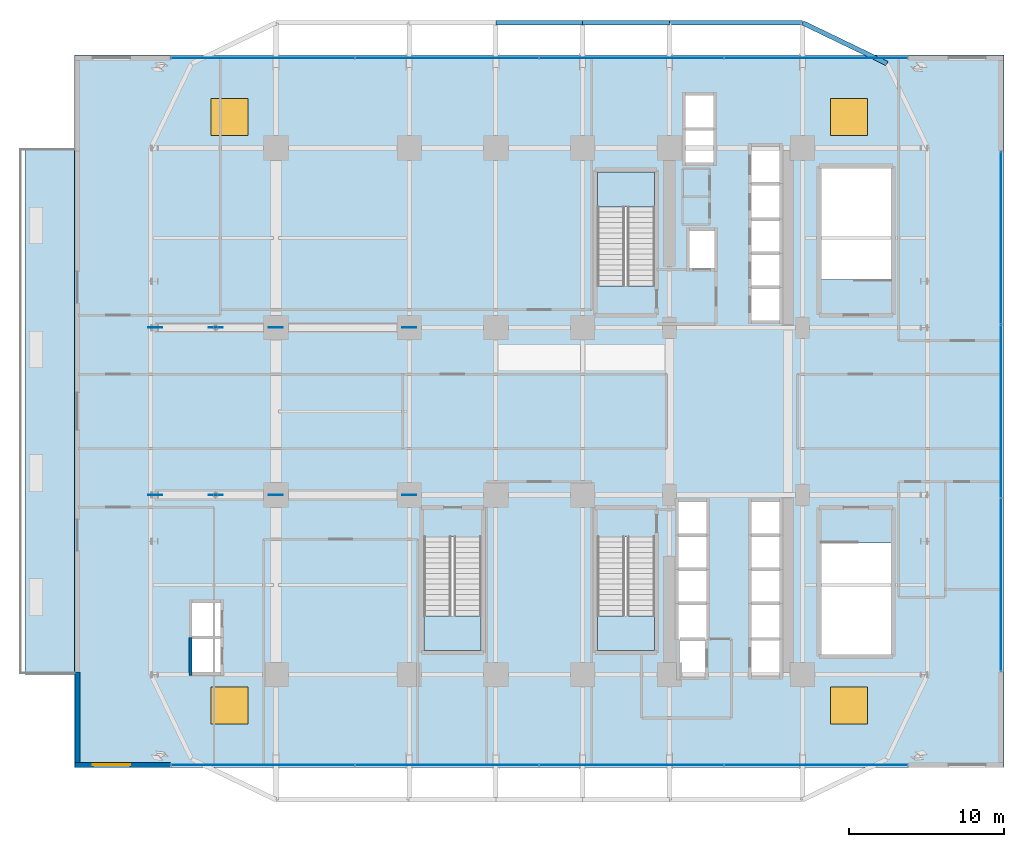
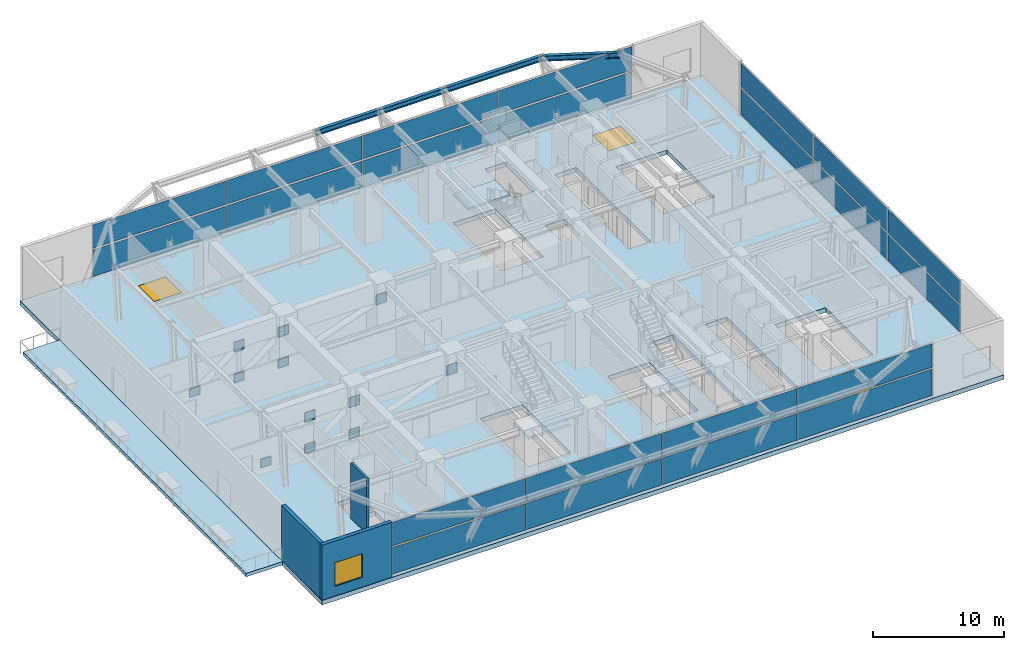
# One storey, part 19 of 29: 34 plates, 5 slabs, 5 windows, 4 beams, 3 walls, 5 openings, 6 elements without a shape of their own.
"""IFC4 building model written with IfcOpenShell, lengths in metres."""

from ifc_helpers import new_model, si_unit, direction, frame, frame_2d, origin, origin_2d, place, context, subcontext, project, spatial, polyline, rectangle, i_section, outline, extrude, source, transform, mapped, material, layer, layer_set, material_profile, profile_set, type_object, element, fill, aggregate, save


model = new_model("IFC4")

# Units and contexts
model_context = context("Model", 3, precision=1e-05, world=origin(), true_north=direction((0.0, 1.0)))
body_context = subcontext(model_context, "Body", "Model", "MODEL_VIEW")
ifc_project = project(units=[si_unit("LENGTHUNIT", "METRE"), si_unit("AREAUNIT", "SQUARE_METRE"), si_unit("VOLUMEUNIT", "CUBIC_METRE"), si_unit("PLANEANGLEUNIT", "RADIAN"), si_unit("MASSUNIT", "GRAM", prefix="KILO")], contexts=[model_context])

# Site, building, storey
site_placement = place(None, origin())
site = spatial("IfcSite", under=ifc_project, at=site_placement, CompositionType="ELEMENT")
building_placement = place(site_placement, origin())
building = spatial("IfcBuilding", under=site, at=building_placement, Name="Nahalor Promenade Grand Hotel", CompositionType="ELEMENT")
storey_placement = place(building_placement, frame((0.0, 0.0, 27.0)))
storey = spatial("IfcBuildingStorey", under=building, at=storey_placement, Name="L05", CompositionType="ELEMENT", Elevation=27.0)

# Beams
ifc_material_1 = material(Name="Steel S355JR", Category="steel")
ifc_material_profile = material_profile(ifc_material_1, i_section(OverallWidth=0.3, OverallDepth=0.5, WebThickness=0.0145, FlangeThickness=0.028, at=origin_2d()), Name="HEB 500")
ifc_profile_set = profile_set([ifc_material_profile], Name="Steel S355JR")
beam_type = type_object("IfcBeamType", Name="Beam-Spandrel-HEB500", PredefinedType="SPANDREL", material=ifc_profile_set)
shared_shape_1 = source(origin(), body_context, "Body", "SweptSolid", [
    extrude(i_section(OverallWidth=0.3, OverallDepth=0.5, WebThickness=0.0145, FlangeThickness=0.028, at=origin_2d()), origin(), (0.0, 0.0, 1.0), 8.60009765625),
])
beam_1_placement = place(storey_placement, frame((8.39990234375, 25.080078125, 4.8701171875), z_axis=(1.0, 0.0, 0.0), x_axis=(0.0, 1.0, 0.0)))
element("IfcBeam", 1, at=beam_1_placement, inside=storey, type_object=beam_type, Name="BM-L05-SP-N-4", PredefinedType="SPANDREL", context=body_context, shape_type="MappedRepresentation", body=[
    mapped(shared_shape_1, transform((0.0, 0.0, 0.0), scale=1.0)),
])
shared_shape_2 = source(origin(), body_context, "Body", "SweptSolid", [
    extrude(i_section(OverallWidth=0.3, OverallDepth=0.5, WebThickness=0.0145, FlangeThickness=0.028, at=origin_2d()), origin(), (0.0, 0.0, 1.0), 5.599853515625),
])
beam_2_placement = place(storey_placement, frame((2.800048828125, 25.080078125, 4.8701171875), z_axis=(1.0, 0.0, 0.0), x_axis=(0.0, 1.0, 0.0)))
element("IfcBeam", 2, at=beam_2_placement, inside=storey, type_object=beam_type, Name="BM-L05-SP-N-3", PredefinedType="SPANDREL", context=body_context, shape_type="MappedRepresentation", body=[
    mapped(shared_shape_2, transform((0.0, 0.0, 0.0), scale=1.0)),
])
shared_shape_3 = source(origin(), body_context, "Body", "SweptSolid", [
    extrude(i_section(OverallWidth=0.3, OverallDepth=0.5, WebThickness=0.0145, FlangeThickness=0.028, at=origin_2d()), origin(), (0.0, 0.0, 1.0), 5.60009765625),
])
beam_3_placement = place(storey_placement, frame((-2.800048828125, 25.080078125, 4.8701171875), z_axis=(1.0, 0.0, 0.0), x_axis=(0.0, 1.0, 0.0)))
element("IfcBeam", 3, at=beam_3_placement, inside=storey, type_object=beam_type, Name="BM-L05-SP-N-2", PredefinedType="SPANDREL", context=body_context, shape_type="MappedRepresentation", body=[
    mapped(shared_shape_3, transform((0.0, 0.0, 0.0), scale=1.0)),
])
shared_shape_4 = source(origin(), body_context, "Body", "SweptSolid", [
    extrude(i_section(OverallWidth=0.3, OverallDepth=0.5, WebThickness=0.0145, FlangeThickness=0.028, at=origin_2d()), origin(), (0.0, 0.0, 1.0), 6.051513671875),
])
beam_4_placement = place(storey_placement, frame((17.0, 25.080078125, 4.8701171875), z_axis=(0.900608818852, -0.434630596492, 0.0), x_axis=(0.434630596492, 0.900608818852, 0.0)))
element("IfcBeam", 4, at=beam_4_placement, inside=storey, type_object=beam_type, Name="BM-L05-SPC-NE-1", PredefinedType="SPANDREL", context=body_context, shape_type="MappedRepresentation", body=[
    mapped(shared_shape_4, transform((0.0, 0.0, 0.0), scale=1.0)),
])

# Stair, slab
ifc_material_2 = material(Name="Concrete B-50 (C40/50)", Category="concrete")
stair_type_1 = type_object("IfcStairType", Name="Stair-ST1", PredefinedType="HALF_TURN_STAIR", material=ifc_material_2)
stair_1_placement = place(storey_placement, origin())
stair_1 = element("IfcStair", 5, at=stair_1_placement, inside=storey, type_object=stair_type_1, Name="L05 ST1", PredefinedType="HALF_TURN_STAIR")
ifc_layer_1 = layer(ifc_material_2, 0.199951171875)
ifc_layer_set_1 = layer_set([ifc_layer_1], Name="Concrete B-50 (C40/50)")
slab_type_1 = type_object("IfcSlabType", Name="Landing-ST1", PredefinedType="LANDING", material=ifc_layer_set_1)
slab_1_placement = place(storey_placement, frame((0.0, 0.0, 2.5)))
slab_1 = element("IfcSlab", 6, at=slab_1_placement, type_object=slab_type_1, Name="ST1 landing 1", PredefinedType="LANDING", context=body_context, shape_type="SweptSolid", body=[
    extrude(outline(polyline([(7.449951171875, 13.199951171875), (7.449951171875, 15.449951171875), (3.75, 15.449951171875), (3.75, 13.199951171875), (7.449951171875, 13.199951171875)])), origin(), (0.0, 0.0, 1.0), 0.199951171875),
])
aggregate(stair_1, [slab_1])

stair_type_2 = type_object("IfcStairType", Name="Stair-ST2", PredefinedType="HALF_TURN_STAIR", material=ifc_material_2)
stair_2_placement = place(storey_placement, origin())
stair_2 = element("IfcStair", 7, at=stair_2_placement, inside=storey, type_object=stair_type_2, Name="L05 ST2", PredefinedType="HALF_TURN_STAIR")
ifc_layer_2 = layer(ifc_material_2, 0.2099609375)
ifc_layer_set_2 = layer_set([ifc_layer_2], Name="Concrete B-50 (C40/50)")
slab_type_2 = type_object("IfcSlabType", Name="Landing-ST2", PredefinedType="LANDING", material=ifc_layer_set_2)
slab_2_placement = place(storey_placement, frame((0.0, 0.0, 2.489990234375)))
slab_2 = element("IfcSlab", 8, at=slab_2_placement, type_object=slab_type_2, Name="ST2 landing 1", PredefinedType="LANDING", context=body_context, shape_type="SweptSolid", body=[
    extrude(outline(polyline([(3.75, -13.199951171875), (3.75, -15.449951171875), (7.449951171875, -15.449951171875), (7.449951171875, -13.199951171875), (3.75, -13.199951171875)])), origin(), (0.0, 0.0, 1.0), 0.2099609375),
])
aggregate(stair_2, [slab_2])

stair_type_3 = type_object("IfcStairType", Name="Stair-ST3", PredefinedType="HALF_TURN_STAIR", material=ifc_material_2)
stair_3_placement = place(storey_placement, origin())
stair_3 = element("IfcStair", 9, at=stair_3_placement, inside=storey, type_object=stair_type_3, Name="L05 ST3", PredefinedType="HALF_TURN_STAIR")
ifc_layer_3 = layer(ifc_material_2, 0.219970703125)
ifc_layer_set_3 = layer_set([ifc_layer_3], Name="Concrete B-50 (C40/50)")
slab_type_3 = type_object("IfcSlabType", Name="Landing-ST3", PredefinedType="LANDING", material=ifc_layer_set_3)
slab_3_placement = place(storey_placement, frame((0.0, 0.0, 2.47998046875)))
slab_3 = element("IfcSlab", 10, at=slab_3_placement, type_object=slab_type_3, Name="ST3 landing 1", PredefinedType="LANDING", context=body_context, shape_type="SweptSolid", body=[
    extrude(outline(polyline([(-7.449951171875, -13.199951171875), (-7.449951171875, -15.449951171875), (-3.75, -15.449951171875), (-3.75, -13.199951171875), (-7.449951171875, -13.199951171875)])), origin(), (0.0, 0.0, 1.0), 0.219970703125),
])
aggregate(stair_3, [slab_3])

# Slab
ifc_layer_4 = layer(ifc_material_2, 0.31005859375)
ifc_layer_set_4 = layer_set([ifc_layer_4], Name="Concrete B-50 (C40/50)")
slab_type_4 = type_object("IfcSlabType", Name="Slab-Terrace-310", PredefinedType="FLOOR", material=ifc_layer_set_4)
slab_4_placement = place(storey_placement, frame((0.0, 0.0, -0.31005859375)))
element("IfcSlab", 11, at=slab_4_placement, inside=storey, type_object=slab_type_4, Name="L05 Waterfront Spa Terrace Slab", PredefinedType="FLOOR", context=body_context, shape_type="SweptSolid", body=[
    extrude(outline(polyline([(-33.199951171875, -17.0), (-30.0, -17.0), (-30.0, 17.0), (-33.199951171875, 17.0), (-33.199951171875, -17.0)])), origin(), (0.0, 0.0, 1.0), 0.31005859375),
])

# Slab, openings, windows
ifc_material_3 = material(Name="Concrete B-60 (C50/60)", Category="concrete")
ifc_layer_5 = layer(ifc_material_3, 0.419921875)
ifc_layer_set_5 = layer_set([ifc_layer_5], Name="Concrete B-60 (C50/60)")
slab_type_5 = type_object("IfcSlabType", Name="Slab-Transfer-420", PredefinedType="FLOOR", material=ifc_layer_set_5)
slab_5_placement = place(storey_placement, frame((0.0, 0.0, -0.419921875)))
slab_5 = element("IfcSlab", 12, at=slab_5_placement, inside=storey, type_object=slab_type_5, Name="L05 Suspended Structural Floor Slab", PredefinedType="FLOOR", context=body_context, shape_type="SweptSolid", body=[
    extrude(outline(polyline([(-30.0, -23.0), (30.0, -23.0), (30.0, 23.0), (-30.0, 23.0), (-30.0, -23.0)]), holes=[polyline([(3.75, 8.10009765625), (7.449951171875, 8.10009765625), (7.449951171875, 15.449951171875), (3.75, 15.449951171875), (3.75, 8.10009765625)]), polyline([(3.75, -15.449951171875), (7.449951171875, -15.449951171875), (7.449951171875, -8.10009765625), (3.75, -8.10009765625), (3.75, -15.449951171875)]), polyline([(-7.449951171875, -15.449951171875), (-3.75, -15.449951171875), (-3.75, -8.10009765625), (-7.449951171875, -8.10009765625), (-7.449951171875, -15.449951171875)]), polyline([(18.199951171875, 8.5), (22.699951171875, 8.5), (22.699951171875, 15.699951171875), (18.199951171875, 15.699951171875), (18.199951171875, 8.5)]), polyline([(18.199951171875, -15.699951171875), (22.699951171875, -15.699951171875), (22.699951171875, -8.5), (18.199951171875, -8.5), (18.199951171875, -15.699951171875)]), polyline([(13.659912109375, 5.81005859375), (15.5400390625, 5.81005859375), (15.5400390625, 17.139892578125), (13.659912109375, 17.139892578125), (13.659912109375, 5.81005859375)]), polyline([(13.659912109375, -17.139892578125), (15.5400390625, -17.139892578125), (15.5400390625, -5.81005859375), (13.659912109375, -5.81005859375), (13.659912109375, -17.139892578125)]), polyline([(8.9599609375, -17.18994140625), (10.840087890625, -17.18994140625), (10.840087890625, -5.81005859375), (8.9599609375, -5.81005859375), (8.9599609375, -17.18994140625)]), polyline([(9.409912109375, 16.010009765625), (11.2900390625, 16.010009765625), (11.2900390625, 20.43994140625), (9.409912109375, 20.43994140625), (9.409912109375, 16.010009765625)]), polyline([(9.659912109375, 9.2099609375), (11.340087890625, 9.2099609375), (11.340087890625, 11.68994140625), (9.659912109375, 11.68994140625), (9.659912109375, 9.2099609375)]), polyline([(-22.43994140625, -16.889892578125), (-20.56005859375, -16.889892578125), (-20.56005859375, -14.7099609375), (-22.43994140625, -14.7099609375), (-22.43994140625, -16.889892578125)]), polyline([(-22.43994140625, -14.489990234375), (-20.56005859375, -14.489990234375), (-20.56005859375, -12.31005859375), (-22.43994140625, -12.31005859375), (-22.43994140625, -14.489990234375)])]), origin(), (0.0, 0.0, 1.0), 0.419921875),
])
opening_1_placement = place(slab_5_placement, frame((-20.0, -19.0, 0.0)))
opening_1 = element("IfcOpeningElement", 13, at=opening_1_placement, cuts=slab_5, Name="Opening SK-01", PredefinedType="OPENING", context=body_context, shape_type="SweptSolid", body=[
    extrude(rectangle(XDim=2.39990234375, YDim=2.39990234375, at=origin_2d()), frame((0.0, 0.0, -0.010009765625)), (0.0, 0.0, 1.0), 0.43994140625),
])
opening_2_placement = place(slab_5_placement, frame((-20.0, 19.0, 0.0)))
opening_2 = element("IfcOpeningElement", 14, at=opening_2_placement, cuts=slab_5, Name="Opening SK-01", PredefinedType="OPENING", context=body_context, shape_type="SweptSolid", body=[
    extrude(rectangle(XDim=2.39990234375, YDim=2.39990234375, at=origin_2d()), frame((0.0, 0.0, -0.010009765625)), (0.0, 0.0, 1.0), 0.43994140625),
])
opening_3_placement = place(slab_5_placement, frame((20.0, -19.0, 0.0)))
opening_3 = element("IfcOpeningElement", 15, at=opening_3_placement, cuts=slab_5, Name="Opening SK-01", PredefinedType="OPENING", context=body_context, shape_type="SweptSolid", body=[
    extrude(rectangle(XDim=2.39990234375, YDim=2.39990234375, at=origin_2d()), frame((0.0, 0.0, -0.010009765625)), (0.0, 0.0, 1.0), 0.43994140625),
])
opening_4_placement = place(slab_5_placement, frame((20.0, 19.0, 0.0)))
opening_4 = element("IfcOpeningElement", 16, at=opening_4_placement, cuts=slab_5, Name="Opening SK-01", PredefinedType="OPENING", context=body_context, shape_type="SweptSolid", body=[
    extrude(rectangle(XDim=2.39990234375, YDim=2.39990234375, at=origin_2d()), frame((0.0, 0.0, -0.010009765625)), (0.0, 0.0, 1.0), 0.43994140625),
])
ifc_material_4 = material(Name="Low-E Laminated Solar Glass", Category="glass")
window_type_1 = type_object("IfcWindowType", Name="Win-RoofSkylight-2400x2400", PartitioningType="SINGLE_PANEL", PredefinedType="SKYLIGHT", material=ifc_material_4)
window_1_placement = place(opening_1_placement, frame((0.0, 0.0, 0.369873046875)))
window_1 = element("IfcWindow", 17, at=window_1_placement, inside=storey, type_object=window_type_1, Name="L05 Roof Skylight 01", OverallHeight=2.39990234375, OverallWidth=2.39990234375, PartitioningType="SINGLE_PANEL", PredefinedType="SKYLIGHT", context=body_context, shape_type="SweptSolid", body=[
    extrude(rectangle(XDim=2.39990234375, YDim=2.39990234375, at=origin_2d()), origin(), (0.0, 0.0, 1.0), 0.050048828125),
])
fill(opening_1, window_1)
window_2_placement = place(opening_2_placement, frame((0.0, 0.0, 0.369873046875)))
window_2 = element("IfcWindow", 18, at=window_2_placement, inside=storey, type_object=window_type_1, Name="L05 Roof Skylight 02", OverallHeight=2.39990234375, OverallWidth=2.39990234375, PartitioningType="SINGLE_PANEL", PredefinedType="SKYLIGHT", context=body_context, shape_type="SweptSolid", body=[
    extrude(rectangle(XDim=2.39990234375, YDim=2.39990234375, at=origin_2d()), origin(), (0.0, 0.0, 1.0), 0.050048828125),
])
fill(opening_2, window_2)
window_3_placement = place(opening_3_placement, frame((0.0, 0.0, 0.369873046875)))
window_3 = element("IfcWindow", 19, at=window_3_placement, inside=storey, type_object=window_type_1, Name="L05 Roof Skylight 03", OverallHeight=2.39990234375, OverallWidth=2.39990234375, PartitioningType="SINGLE_PANEL", PredefinedType="SKYLIGHT", context=body_context, shape_type="SweptSolid", body=[
    extrude(rectangle(XDim=2.39990234375, YDim=2.39990234375, at=origin_2d()), origin(), (0.0, 0.0, 1.0), 0.050048828125),
])
fill(opening_3, window_3)
window_4_placement = place(opening_4_placement, frame((0.0, 0.0, 0.369873046875)))
window_4 = element("IfcWindow", 20, at=window_4_placement, inside=storey, type_object=window_type_1, Name="L05 Roof Skylight 04", OverallHeight=2.39990234375, OverallWidth=2.39990234375, PartitioningType="SINGLE_PANEL", PredefinedType="SKYLIGHT", context=body_context, shape_type="SweptSolid", body=[
    extrude(rectangle(XDim=2.39990234375, YDim=2.39990234375, at=origin_2d()), origin(), (0.0, 0.0, 1.0), 0.050048828125),
])
fill(opening_4, window_4)

# Plates
ifc_material_5 = material(Name="Steel S355J2", Category="steel")
ifc_layer_6 = layer(ifc_material_5, 0.035888671875)
ifc_layer_set_6 = layer_set([ifc_layer_6], Name="Steel S355J2")
plate_type_1 = type_object("IfcPlateType", Name="Plate-Gusset-36", PredefinedType="USERDEFINED", material=ifc_layer_set_6)
shared_shape_5 = source(origin(), body_context, "Body", "SweptSolid", [
    extrude(rectangle(XDim=0.89990234375, YDim=0.035888671875, at=origin_2d()), origin(), (0.0, 0.0, 1.0), 0.89990234375),
])
for number, where, z_axis, x_axis, name in (
    (21, (-24.800048828125, -5.39990234375, -0.099853515625), (0.0, 0.0, 1.0), (1.0, 0.0, 0.0), "PL-TN-1-1"),
    (22, (-20.89990234375, -5.39990234375, -0.099853515625), (0.0, 0.0, 1.0), (1.0, 0.0, 0.0), "PL-TN-1-2"),
    (23, (-20.89990234375, -5.39990234375, 2.8701171875), (0.0, 0.0, 1.0), (1.0, 0.0, 0.0), "PL-TN-1-3"),
    (24, (-17.0, -5.39990234375, -0.099853515625), (0.0, 0.0, 1.0), (1.0, 0.0, 0.0), "PL-TN-1-4"),
    (25, (-17.0, -5.39990234375, 2.8701171875), (0.0, 0.0, 1.0), (1.0, 0.0, 0.0), "PL-TN-1-5"),
    (26, (-8.39990234375, -5.39990234375, 2.8701171875), (0.0, 0.0, 1.0), (1.0, 0.0, 0.0), "PL-TN-1-6"),
    (27, (-24.800048828125, 5.39990234375, -0.099853515625), (0.0, 0.0, 1.0), (1.0, 0.0, 0.0), "PL-TN-2-1"),
    (28, (-20.89990234375, 5.39990234375, -0.099853515625), (0.0, 0.0, 1.0), (1.0, 0.0, 0.0), "PL-TN-2-2"),
    (29, (-20.89990234375, 5.39990234375, 2.8701171875), (0.0, 0.0, 1.0), (1.0, 0.0, 0.0), "PL-TN-2-3"),
    (30, (-17.0, 5.39990234375, -0.099853515625), (0.0, 0.0, 1.0), (1.0, 0.0, 0.0), "PL-TN-2-4"),
    (31, (-17.0, 5.39990234375, 2.8701171875), (0.0, 0.0, 1.0), (1.0, 0.0, 0.0), "PL-TN-2-5"),
    (32, (-8.39990234375, 5.39990234375, 2.8701171875), (0.0, 0.0, 1.0), (1.0, 0.0, 0.0), "PL-TN-2-6"),
):
    element("IfcPlate", number, at=place(storey_placement, frame(where, z_axis=z_axis, x_axis=x_axis)), inside=storey, type_object=plate_type_1, Name=name, ObjectType="GUSSET_PLATE", PredefinedType="USERDEFINED", context=body_context, shape_type="MappedRepresentation", body=[
        mapped(shared_shape_5, transform((0.0, 0.0, 0.0), scale=1.0)),
    ])

# Curtain wall, plates
ifc_material_6 = material(Name="Anodised Bronze Aluminium EN AW-6063 T6", Category="aluminium")
curtain_wall_type = type_object("IfcCurtainWallType", Name="CW1 Waterfront Podium Bronze Arcade Curtain Wall", PredefinedType="USERDEFINED", material=ifc_material_6)
curtain_wall_1_placement = place(storey_placement, origin())
curtain_wall_1 = element("IfcCurtainWall", 33, at=curtain_wall_1_placement, inside=storey, type_object=curtain_wall_type, Name="L05 Curtain Wall CW-L05-S", ObjectType="UNITISED_CURTAIN_WALL", PredefinedType="USERDEFINED")
ifc_layer_7 = layer(ifc_material_4, 0.031982421875)
ifc_layer_set_7 = layer_set([ifc_layer_7], Name="Low-E Laminated Solar Glass")
plate_type_2 = type_object("IfcPlateType", Name="CWP1 Podium Solar Acoustic IGU 32mm", PredefinedType="CURTAIN_PANEL", material=ifc_layer_set_7)
shared_shape_6 = source(origin(), body_context, "Body", "SweptSolid", [
    extrude(rectangle(XDim=11.7900390625, YDim=0.031982421875, at=origin_2d()), origin(), (0.0, 0.0, 1.0), 2.4599609375),
])
plate_1_placement = place(storey_placement, frame((-17.844970703125, -22.820068359375, 0.159912109375), z_axis=(0.0, 0.0, 1.0), x_axis=(1.0, 0.0, 0.0)))
plate_1 = element("IfcPlate", 34, at=plate_1_placement, type_object=plate_type_2, Name="CW-L05-S Glazing Panel 0-0", PredefinedType="CURTAIN_PANEL", context=body_context, shape_type="MappedRepresentation", body=[
    mapped(shared_shape_6, transform((0.0, 0.0, 0.0), scale=1.0)),
])
plate_2_placement = place(storey_placement, frame((17.844970703125, -22.820068359375, 0.159912109375), z_axis=(0.0, 0.0, 1.0), x_axis=(1.0, 0.0, 0.0)))
plate_2 = element("IfcPlate", 35, at=plate_2_placement, type_object=plate_type_2, Name="CW-L05-S Glazing Panel 3-0", PredefinedType="CURTAIN_PANEL", context=body_context, shape_type="MappedRepresentation", body=[
    mapped(shared_shape_6, transform((0.0, 0.0, 0.0), scale=1.0)),
])

curtain_wall_2_placement = place(storey_placement, origin())
curtain_wall_2 = element("IfcCurtainWall", 36, at=curtain_wall_2_placement, inside=storey, type_object=curtain_wall_type, Name="L05 Curtain Wall CW-L05-N", ObjectType="UNITISED_CURTAIN_WALL", PredefinedType="USERDEFINED")
plate_3_placement = place(storey_placement, frame((-17.844970703125, 22.820068359375, 0.159912109375), z_axis=(0.0, 0.0, 1.0), x_axis=(1.0, 0.0, 0.0)))
plate_3 = element("IfcPlate", 37, at=plate_3_placement, type_object=plate_type_2, Name="CW-L05-N Glazing Panel 0-0", PredefinedType="CURTAIN_PANEL", context=body_context, shape_type="MappedRepresentation", body=[
    mapped(shared_shape_6, transform((0.0, 0.0, 0.0), scale=1.0)),
])
plate_4_placement = place(storey_placement, frame((17.844970703125, 22.820068359375, 0.159912109375), z_axis=(0.0, 0.0, 1.0), x_axis=(1.0, 0.0, 0.0)))
plate_4 = element("IfcPlate", 38, at=plate_4_placement, type_object=plate_type_2, Name="CW-L05-N Glazing Panel 3-0", PredefinedType="CURTAIN_PANEL", context=body_context, shape_type="MappedRepresentation", body=[
    mapped(shared_shape_6, transform((0.0, 0.0, 0.0), scale=1.0)),
])

# Plate
shared_shape_7 = source(origin(), body_context, "Body", "SweptSolid", [
    extrude(rectangle(XDim=11.7900390625, YDim=0.031982421875, at=origin_2d()), origin(), (0.0, 0.0, 1.0), 2.179931640625),
])
plate_5_placement = place(storey_placement, frame((-17.844970703125, -22.820068359375, 2.7802734375), z_axis=(0.0, 0.0, 1.0), x_axis=(1.0, 0.0, 0.0)))
plate_5 = element("IfcPlate", 39, at=plate_5_placement, type_object=plate_type_2, Name="CW-L05-S Glazing Panel 0-1", PredefinedType="CURTAIN_PANEL", context=body_context, shape_type="MappedRepresentation", body=[
    mapped(shared_shape_7, transform((0.0, 0.0, 0.0), scale=1.0)),
])

plate_6_placement = place(storey_placement, frame((17.844970703125, -22.820068359375, 2.7802734375), z_axis=(0.0, 0.0, 1.0), x_axis=(1.0, 0.0, 0.0)))
plate_6 = element("IfcPlate", 40, at=plate_6_placement, type_object=plate_type_2, Name="CW-L05-S Glazing Panel 3-1", PredefinedType="CURTAIN_PANEL", context=body_context, shape_type="MappedRepresentation", body=[
    mapped(shared_shape_7, transform((0.0, 0.0, 0.0), scale=1.0)),
])

plate_7_placement = place(storey_placement, frame((-17.844970703125, 22.820068359375, 2.7802734375), z_axis=(0.0, 0.0, 1.0), x_axis=(1.0, 0.0, 0.0)))
plate_7 = element("IfcPlate", 41, at=plate_7_placement, type_object=plate_type_2, Name="CW-L05-N Glazing Panel 0-1", PredefinedType="CURTAIN_PANEL", context=body_context, shape_type="MappedRepresentation", body=[
    mapped(shared_shape_7, transform((0.0, 0.0, 0.0), scale=1.0)),
])

plate_8_placement = place(storey_placement, frame((17.844970703125, 22.820068359375, 2.7802734375), z_axis=(0.0, 0.0, 1.0), x_axis=(1.0, 0.0, 0.0)))
plate_8 = element("IfcPlate", 42, at=plate_8_placement, type_object=plate_type_2, Name="CW-L05-N Glazing Panel 3-1", PredefinedType="CURTAIN_PANEL", context=body_context, shape_type="MappedRepresentation", body=[
    mapped(shared_shape_7, transform((0.0, 0.0, 0.0), scale=1.0)),
])

shared_shape_8 = source(origin(), body_context, "Body", "SweptSolid", [
    extrude(rectangle(XDim=11.830078125, YDim=0.031982421875, at=origin_2d()), origin(), (0.0, 0.0, 1.0), 2.4599609375),
])
plate_9_placement = place(storey_placement, frame((-5.955078125, -22.820068359375, 0.159912109375), z_axis=(0.0, 0.0, 1.0), x_axis=(1.0, 0.0, 0.0)))
plate_9 = element("IfcPlate", 43, at=plate_9_placement, type_object=plate_type_2, Name="CW-L05-S Glazing Panel 1-0", PredefinedType="CURTAIN_PANEL", context=body_context, shape_type="MappedRepresentation", body=[
    mapped(shared_shape_8, transform((0.0, 0.0, 0.0), scale=1.0)),
])

plate_10_placement = place(storey_placement, frame((5.955078125, -22.820068359375, 0.159912109375), z_axis=(0.0, 0.0, 1.0), x_axis=(1.0, 0.0, 0.0)))
plate_10 = element("IfcPlate", 44, at=plate_10_placement, type_object=plate_type_2, Name="CW-L05-S Glazing Panel 2-0", PredefinedType="CURTAIN_PANEL", context=body_context, shape_type="MappedRepresentation", body=[
    mapped(shared_shape_8, transform((0.0, 0.0, 0.0), scale=1.0)),
])

plate_11_placement = place(storey_placement, frame((-5.955078125, 22.820068359375, 0.159912109375), z_axis=(0.0, 0.0, 1.0), x_axis=(1.0, 0.0, 0.0)))
plate_11 = element("IfcPlate", 45, at=plate_11_placement, type_object=plate_type_2, Name="CW-L05-N Glazing Panel 1-0", PredefinedType="CURTAIN_PANEL", context=body_context, shape_type="MappedRepresentation", body=[
    mapped(shared_shape_8, transform((0.0, 0.0, 0.0), scale=1.0)),
])

plate_12_placement = place(storey_placement, frame((5.955078125, 22.820068359375, 0.159912109375), z_axis=(0.0, 0.0, 1.0), x_axis=(1.0, 0.0, 0.0)))
plate_12 = element("IfcPlate", 46, at=plate_12_placement, type_object=plate_type_2, Name="CW-L05-N Glazing Panel 2-0", PredefinedType="CURTAIN_PANEL", context=body_context, shape_type="MappedRepresentation", body=[
    mapped(shared_shape_8, transform((0.0, 0.0, 0.0), scale=1.0)),
])

shared_shape_9 = source(origin(), body_context, "Body", "SweptSolid", [
    extrude(rectangle(XDim=11.830078125, YDim=0.031982421875, at=origin_2d()), origin(), (0.0, 0.0, 1.0), 2.179931640625),
])
plate_13_placement = place(storey_placement, frame((-5.955078125, -22.820068359375, 2.7802734375), z_axis=(0.0, 0.0, 1.0), x_axis=(1.0, 0.0, 0.0)))
plate_13 = element("IfcPlate", 47, at=plate_13_placement, type_object=plate_type_2, Name="CW-L05-S Glazing Panel 1-1", PredefinedType="CURTAIN_PANEL", context=body_context, shape_type="MappedRepresentation", body=[
    mapped(shared_shape_9, transform((0.0, 0.0, 0.0), scale=1.0)),
])

plate_14_placement = place(storey_placement, frame((5.955078125, -22.820068359375, 2.7802734375), z_axis=(0.0, 0.0, 1.0), x_axis=(1.0, 0.0, 0.0)))
plate_14 = element("IfcPlate", 48, at=plate_14_placement, type_object=plate_type_2, Name="CW-L05-S Glazing Panel 2-1", PredefinedType="CURTAIN_PANEL", context=body_context, shape_type="MappedRepresentation", body=[
    mapped(shared_shape_9, transform((0.0, 0.0, 0.0), scale=1.0)),
])

aggregate(curtain_wall_1, [plate_1, plate_5, plate_9, plate_13, plate_10, plate_14, plate_2, plate_6])

plate_15_placement = place(storey_placement, frame((-5.955078125, 22.820068359375, 2.7802734375), z_axis=(0.0, 0.0, 1.0), x_axis=(1.0, 0.0, 0.0)))
plate_15 = element("IfcPlate", 49, at=plate_15_placement, type_object=plate_type_2, Name="CW-L05-N Glazing Panel 1-1", PredefinedType="CURTAIN_PANEL", context=body_context, shape_type="MappedRepresentation", body=[
    mapped(shared_shape_9, transform((0.0, 0.0, 0.0), scale=1.0)),
])

plate_16_placement = place(storey_placement, frame((5.955078125, 22.820068359375, 2.7802734375), z_axis=(0.0, 0.0, 1.0), x_axis=(1.0, 0.0, 0.0)))
plate_16 = element("IfcPlate", 50, at=plate_16_placement, type_object=plate_type_2, Name="CW-L05-N Glazing Panel 2-1", PredefinedType="CURTAIN_PANEL", context=body_context, shape_type="MappedRepresentation", body=[
    mapped(shared_shape_9, transform((0.0, 0.0, 0.0), scale=1.0)),
])

aggregate(curtain_wall_2, [plate_3, plate_7, plate_11, plate_15, plate_12, plate_16, plate_4, plate_8])

# Curtain wall, plates
curtain_wall_3_placement = place(storey_placement, origin())
curtain_wall_3 = element("IfcCurtainWall", 51, at=curtain_wall_3_placement, inside=storey, type_object=curtain_wall_type, Name="L05 Curtain Wall CW-L05-E", ObjectType="UNITISED_CURTAIN_WALL", PredefinedType="USERDEFINED")
shared_shape_10 = source(origin(), body_context, "Body", "SweptSolid", [
    extrude(rectangle(XDim=11.09326171875, YDim=0.031982421875, at=origin_2d()), origin(), (0.0, 0.0, 1.0), 2.4599609375),
])
plate_17_placement = place(storey_placement, frame((29.820068359375, -11.193359375, 0.159912109375), z_axis=(0.0, 0.0, 1.0), x_axis=(0.0, 1.0, 0.0)))
plate_17 = element("IfcPlate", 52, at=plate_17_placement, type_object=plate_type_2, Name="CW-L05-E Glazing Panel 0-0", PredefinedType="CURTAIN_PANEL", context=body_context, shape_type="MappedRepresentation", body=[
    mapped(shared_shape_10, transform((0.0, 0.0, 0.0), scale=1.0)),
])
plate_18_placement = place(storey_placement, frame((29.820068359375, 11.193359375, 0.159912109375), z_axis=(0.0, 0.0, 1.0), x_axis=(0.0, 1.0, 0.0)))
plate_18 = element("IfcPlate", 53, at=plate_18_placement, type_object=plate_type_2, Name="CW-L05-E Glazing Panel 2-0", PredefinedType="CURTAIN_PANEL", context=body_context, shape_type="MappedRepresentation", body=[
    mapped(shared_shape_10, transform((0.0, 0.0, 0.0), scale=1.0)),
])
shared_shape_11 = source(origin(), body_context, "Body", "SweptSolid", [
    extrude(rectangle(XDim=11.09326171875, YDim=0.031982421875, at=origin_2d()), origin(), (0.0, 0.0, 1.0), 2.179931640625),
])
plate_19_placement = place(storey_placement, frame((29.820068359375, -11.193359375, 2.7802734375), z_axis=(0.0, 0.0, 1.0), x_axis=(0.0, 1.0, 0.0)))
plate_19 = element("IfcPlate", 54, at=plate_19_placement, type_object=plate_type_2, Name="CW-L05-E Glazing Panel 0-1", PredefinedType="CURTAIN_PANEL", context=body_context, shape_type="MappedRepresentation", body=[
    mapped(shared_shape_11, transform((0.0, 0.0, 0.0), scale=1.0)),
])
plate_20_placement = place(storey_placement, frame((29.820068359375, 11.193359375, 2.7802734375), z_axis=(0.0, 0.0, 1.0), x_axis=(0.0, 1.0, 0.0)))
plate_20 = element("IfcPlate", 55, at=plate_20_placement, type_object=plate_type_2, Name="CW-L05-E Glazing Panel 2-1", PredefinedType="CURTAIN_PANEL", context=body_context, shape_type="MappedRepresentation", body=[
    mapped(shared_shape_11, transform((0.0, 0.0, 0.0), scale=1.0)),
])
shared_shape_12 = source(origin(), body_context, "Body", "SweptSolid", [
    extrude(rectangle(XDim=11.13330078125, YDim=0.031982421875, at=origin_2d()), origin(), (0.0, 0.0, 1.0), 2.4599609375),
])
plate_21_placement = place(storey_placement, frame((29.820068359375, 0.0, 0.159912109375), z_axis=(0.0, 0.0, 1.0), x_axis=(0.0, 1.0, 0.0)))
plate_21 = element("IfcPlate", 56, at=plate_21_placement, type_object=plate_type_2, Name="CW-L05-E Glazing Panel 1-0", PredefinedType="CURTAIN_PANEL", context=body_context, shape_type="MappedRepresentation", body=[
    mapped(shared_shape_12, transform((0.0, 0.0, 0.0), scale=1.0)),
])
shared_shape_13 = source(origin(), body_context, "Body", "SweptSolid", [
    extrude(rectangle(XDim=11.13330078125, YDim=0.031982421875, at=origin_2d()), origin(), (0.0, 0.0, 1.0), 2.179931640625),
])
plate_22_placement = place(storey_placement, frame((29.820068359375, 0.0, 2.7802734375), z_axis=(0.0, 0.0, 1.0), x_axis=(0.0, 1.0, 0.0)))
plate_22 = element("IfcPlate", 57, at=plate_22_placement, type_object=plate_type_2, Name="CW-L05-E Glazing Panel 1-1", PredefinedType="CURTAIN_PANEL", context=body_context, shape_type="MappedRepresentation", body=[
    mapped(shared_shape_13, transform((0.0, 0.0, 0.0), scale=1.0)),
])
aggregate(curtain_wall_3, [plate_17, plate_19, plate_21, plate_22, plate_18, plate_20])

# Wall
ifc_layer_8 = layer(ifc_material_2, 0.219970703125)
ifc_layer_set_8 = layer_set([ifc_layer_8], Name="Concrete B-50 (C40/50)")
wall_type_1 = type_object("IfcWallType", Name="Wall-LiftShaft-220", PredefinedType="SHEAR", material=ifc_layer_set_8)
shared_shape_14 = source(origin(), body_context, "Body", "SweptSolid", [
    extrude(rectangle(XDim=2.4599609375, YDim=0.219970703125, at=frame_2d((1.22998046875, 0.0))), origin(), (0.0, 0.0, 1.0), 5.1201171875),
])
wall_1_placement = place(storey_placement, frame((-22.52001953125, -17.06005859375, 0.0), z_axis=(0.0, 0.0, 1.0), x_axis=(0.0, 1.0, 0.0)))
element("IfcWall", 58, at=wall_1_placement, inside=storey, type_object=wall_type_1, Name="L05 Lift PD1 Hoistway Wall W", PredefinedType="SHEAR", context=body_context, shape_type="MappedRepresentation", body=[
    mapped(shared_shape_14, transform((0.0, 0.0, 0.0), scale=1.0)),
])

# Wall, opening, window
ifc_material_7 = material(Name="Concrete B-40 (C32/40)", Category="concrete")
ifc_layer_9 = layer(ifc_material_7, 0.320068359375)
ifc_layer_set_9 = layer_set([ifc_layer_9], Name="Concrete B-40 (C32/40)")
wall_type_2 = type_object("IfcWallType", Name="Wall-LimestonePier-320", PredefinedType="STANDARD", material=ifc_layer_set_9)
shared_shape_15 = source(origin(), body_context, "Body", "SweptSolid", [
    extrude(rectangle(XDim=6.159912109375, YDim=0.320068359375, at=frame_2d((3.080078125, 0.0))), origin(), (0.0, 0.0, 1.0), 5.1201171875),
])
wall_2_placement = place(storey_placement, frame((-29.97998046875, -22.820068359375, 0.0), z_axis=(0.0, 0.0, 1.0), x_axis=(1.0, 0.0, 0.0)))
wall_2 = element("IfcWall", 59, at=wall_2_placement, inside=storey, type_object=wall_type_2, Name="W-L05-CRN-SW-X", PredefinedType="STANDARD", context=body_context, shape_type="MappedRepresentation", body=[
    mapped(shared_shape_15, transform((0.0, 0.0, 0.0), scale=1.0)),
])
opening_5_placement = place(wall_2_placement, frame((1.159912109375, 0.0, 0.89990234375)))
opening_5 = element("IfcOpeningElement", 60, at=opening_5_placement, cuts=wall_2, Name="Opening WN-02", PredefinedType="OPENING", context=body_context, shape_type="SweptSolid", body=[
    extrude(rectangle(XDim=2.39990234375, YDim=2.199951171875, at=frame_2d((1.199951171875, 1.10009765625))), frame((0.0, 0.169921875, 0.0), z_axis=(0.0, -1.0, 0.0), x_axis=(1.0, 0.0, 0.0)), (0.0, 0.0, 1.0), 0.340087890625),
])
window_type_2 = type_object("IfcWindowType", Name="Win-PodiumArch-2400x2200", PartitioningType="SINGLE_PANEL", PredefinedType="WINDOW", material=ifc_material_4)
shared_shape_16 = source(origin(), body_context, "Body", "SweptSolid", [
    extrude(rectangle(XDim=2.39990234375, YDim=2.199951171875, at=frame_2d((1.199951171875, 1.10009765625))), frame((0.0, 0.030029296875, 0.0), z_axis=(0.0, -1.0, 0.0), x_axis=(1.0, 0.0, 0.0)), (0.0, 0.0, 1.0), 0.06005859375),
])
window_5_placement = place(opening_5_placement, origin())
window_5 = element("IfcWindow", 61, at=window_5_placement, inside=storey, type_object=window_type_2, Name="WN-L05-SW-X", OverallHeight=2.199951171875, OverallWidth=2.39990234375, PartitioningType="SINGLE_PANEL", PredefinedType="WINDOW", context=body_context, shape_type="MappedRepresentation", body=[
    mapped(shared_shape_16, transform((0.0, 0.0, 0.0), scale=1.0)),
])
fill(opening_5, window_5)

# Wall
shared_shape_17 = source(origin(), body_context, "Body", "SweptSolid", [
    extrude(rectangle(XDim=5.83984375, YDim=0.320068359375, at=frame_2d((2.919921875, 0.0))), origin(), (0.0, 0.0, 1.0), 5.1201171875),
])
wall_3_placement = place(storey_placement, frame((-29.820068359375, -22.659912109375, 0.0), z_axis=(0.0, 0.0, 1.0), x_axis=(0.0, 1.0, 0.0)))
element("IfcWall", 62, at=wall_3_placement, inside=storey, type_object=wall_type_2, Name="W-L05-CRN-SW-Y", PredefinedType="STANDARD", context=body_context, shape_type="MappedRepresentation", body=[
    mapped(shared_shape_17, transform((0.0, 0.0, 0.0), scale=1.0)),
])

save(model, "model.ifc")
